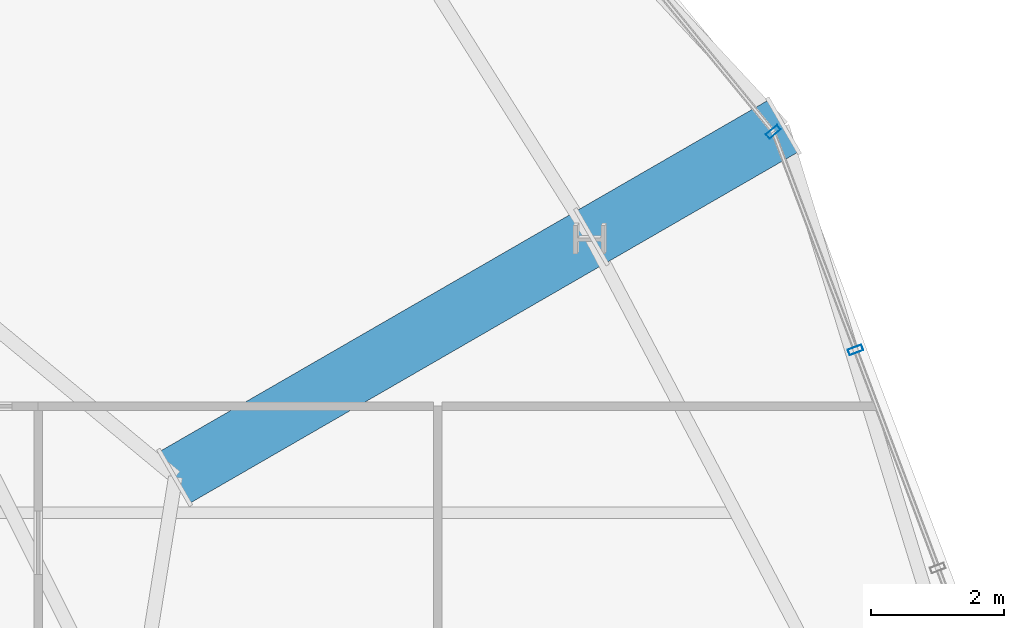
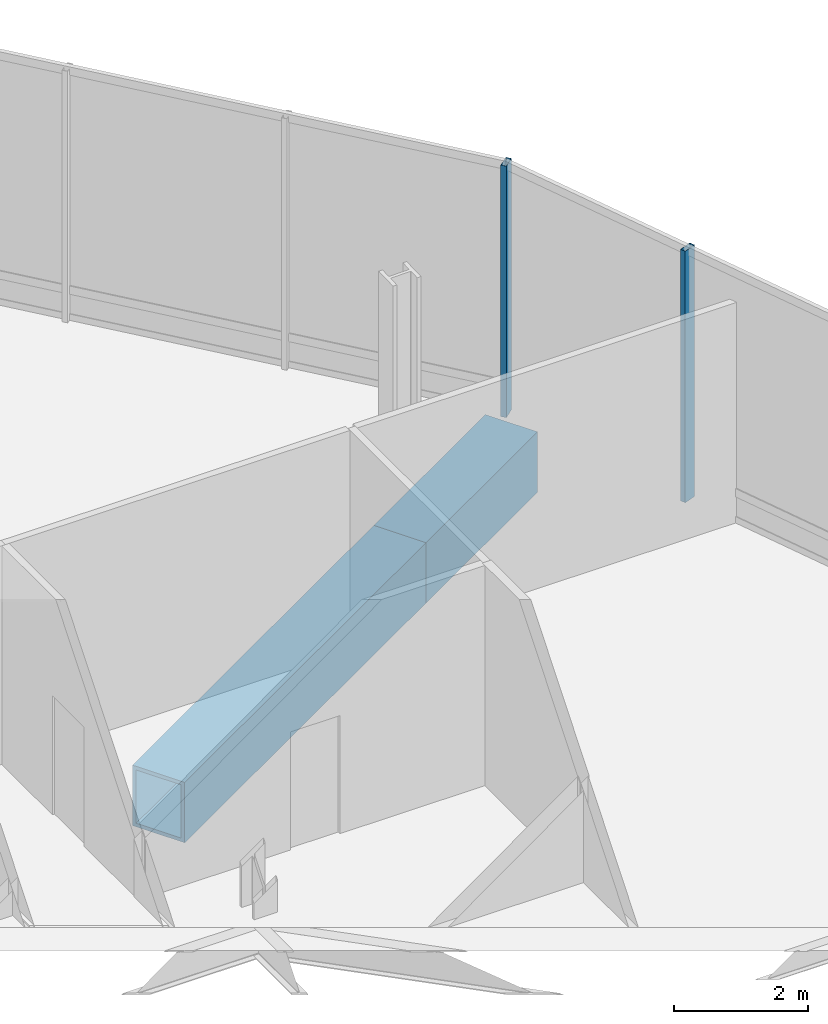
# One storey, part 14 of 26: 2 beams, 2 members, 2 elements without a shape of their own.
"""IFC4 building model written with IfcOpenShell, lengths in metres."""

from ifc_helpers import new_model, si_unit, direction, frame, origin, origin_2d, place, context, subcontext, project, spatial, hollow_rectangle, extrude, material, layer, layer_set, material_profile, profile_set, type_object, element, aggregate, save


model = new_model("IFC4")

# Units and contexts
model_context = context("Model", 3, precision=1e-05, world=origin(), true_north=direction((0.0, 1.0)))
body_context = subcontext(model_context, "Body", "Model", "MODEL_VIEW")
ifc_project = project(units=[si_unit("LENGTHUNIT", "METRE"), si_unit("AREAUNIT", "SQUARE_METRE"), si_unit("VOLUMEUNIT", "CUBIC_METRE"), si_unit("PLANEANGLEUNIT", "RADIAN"), si_unit("MASSUNIT", "GRAM", prefix="KILO")], contexts=[model_context])

# Site, building, storey
site_placement = place(None, origin())
site = spatial("IfcSite", under=ifc_project, at=site_placement, CompositionType="ELEMENT")
building_placement = place(site_placement, origin())
building = spatial("IfcBuilding", under=site, at=building_placement, Name="Ndaravel Arena Tower", CompositionType="ELEMENT")
storey_placement = place(building_placement, frame((0.0, 0.0, 122.199951171875)))
storey = spatial("IfcBuildingStorey", under=building, at=storey_placement, Name="L28", CompositionType="ELEMENT", Elevation=122.199951171875)

# Beams
ifc_material_1 = material(Name="Steel S460", Category="steel")
ifc_material_profile_1 = material_profile(ifc_material_1, hollow_rectangle(XDim=0.89990234375, YDim=1.10009765625, WallThickness=0.06494140625, at=origin_2d()), Name="BOX 1100x900x65")
ifc_profile_set_1 = profile_set([ifc_material_profile_1], Name="Steel S460")
beam_type = type_object("IfcBeamType", Name="BM-STAR-BOX1100", PredefinedType="BEAM", material=ifc_profile_set_1)
beam_1_placement = place(storey_placement, frame((50.462890625, 27.33837890625, -0.829833984375), z_axis=(0.866033125095, 0.499986626058, 0.0), x_axis=(-0.499986626058, 0.866033125095, 0.0)))
element("IfcBeam", 1, at=beam_1_placement, inside=storey, type_object=beam_type, Name="L28 Star Cantilever Backspan Girder SBG-4", PredefinedType="BEAM", context=body_context, shape_type="SweptSolid", body=[
    extrude(hollow_rectangle(XDim=0.89990234375, YDim=1.10009765625, WallThickness=0.06494140625, at=origin_2d()), origin(), (0.0, 0.0, 1.0), 7.199951171875),
])
beam_2_placement = place(storey_placement, frame((56.6982421875, 30.938232421875, -0.829833984375), z_axis=(0.866032982159, 0.499986873641, 0.0), x_axis=(-0.499986873641, 0.866032982159, 0.0)))
element("IfcBeam", 2, at=beam_2_placement, inside=storey, type_object=beam_type, Name="L28 Star Cantilever Tip Girder SCG-4", PredefinedType="BEAM", context=body_context, shape_type="SweptSolid", body=[
    extrude(hollow_rectangle(XDim=0.89990234375, YDim=1.10009765625, WallThickness=0.06494140625, at=origin_2d()), origin(), (0.0, 0.0, 1.0), 3.330078125),
])

# Curtain wall, member
ifc_material_2 = material(Name="Aluminium", Category="aluminium")
ifc_layer = layer(ifc_material_2, 0.179931640625)
ifc_layer_set = layer_set([ifc_layer], Name="Aluminium")
curtain_wall_type = type_object("IfcCurtainWallType", Name="CW-SYS-04", PredefinedType="NOTDEFINED", material=ifc_layer_set)
curtain_wall_1_placement = place(storey_placement, origin())
curtain_wall_1 = element("IfcCurtainWall", 3, at=curtain_wall_1_placement, inside=storey, type_object=curtain_wall_type, Name="L28 Faceted Crystal Curtain Wall CW-L28-E06", PredefinedType="NOTDEFINED")
ifc_material_3 = material(Name="Aluminium", Category="aluminium")
ifc_material_profile_2 = material_profile(ifc_material_3, hollow_rectangle(XDim=0.090087890625, YDim=0.219970703125, WallThickness=0.0048828125, at=origin_2d()), Name="CW MULLION 90x220x5")
ifc_profile_set_2 = profile_set([ifc_material_profile_2], Name="Aluminium")
member_type = type_object("IfcMemberType", Name="MEM-CW-MUL220", PredefinedType="MULLION", material=ifc_profile_set_2)
member_1_placement = place(storey_placement, frame((60.677001953125, 29.24609375, 0.0), z_axis=(0.0, 0.0, 1.0), x_axis=(-0.352805363625, 0.935696732599, 0.0)))
member_1 = element("IfcMember", 4, at=member_1_placement, type_object=member_type, Name="CW-L28-E06 Mullion 04", PredefinedType="MULLION", context=body_context, shape_type="SweptSolid", body=[
    extrude(hollow_rectangle(XDim=0.090087890625, YDim=0.219970703125, WallThickness=0.0048828125, at=origin_2d()), origin(), (0.0, 0.0, 1.0), 4.580078125),
])
aggregate(curtain_wall_1, [member_1])

curtain_wall_2_placement = place(storey_placement, origin())
curtain_wall_2 = element("IfcCurtainWall", 5, at=curtain_wall_2_placement, inside=storey, type_object=curtain_wall_type, Name="L28 Faceted Crystal Curtain Wall CW-L28-E07", PredefinedType="NOTDEFINED")
member_2_placement = place(storey_placement, frame((59.44189453125, 32.522216796875, 0.0), z_axis=(0.0, 0.0, 1.0), x_axis=(-0.633934458857, 0.773386773791, 0.0)))
member_2 = element("IfcMember", 6, at=member_2_placement, type_object=member_type, Name="CW-L28-E07 Mullion 00", PredefinedType="MULLION", context=body_context, shape_type="SweptSolid", body=[
    extrude(hollow_rectangle(XDim=0.090087890625, YDim=0.219970703125, WallThickness=0.0048828125, at=origin_2d()), origin(), (0.0, 0.0, 1.0), 4.580078125),
])
aggregate(curtain_wall_2, [member_2])

save(model, "model.ifc")
